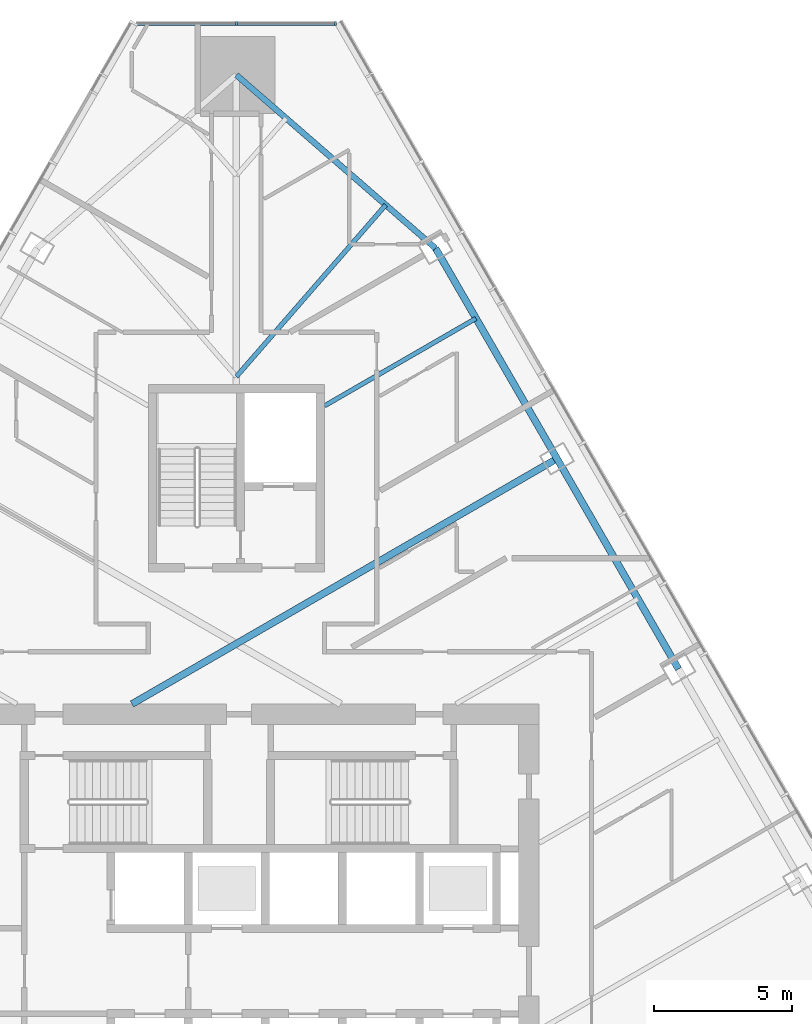
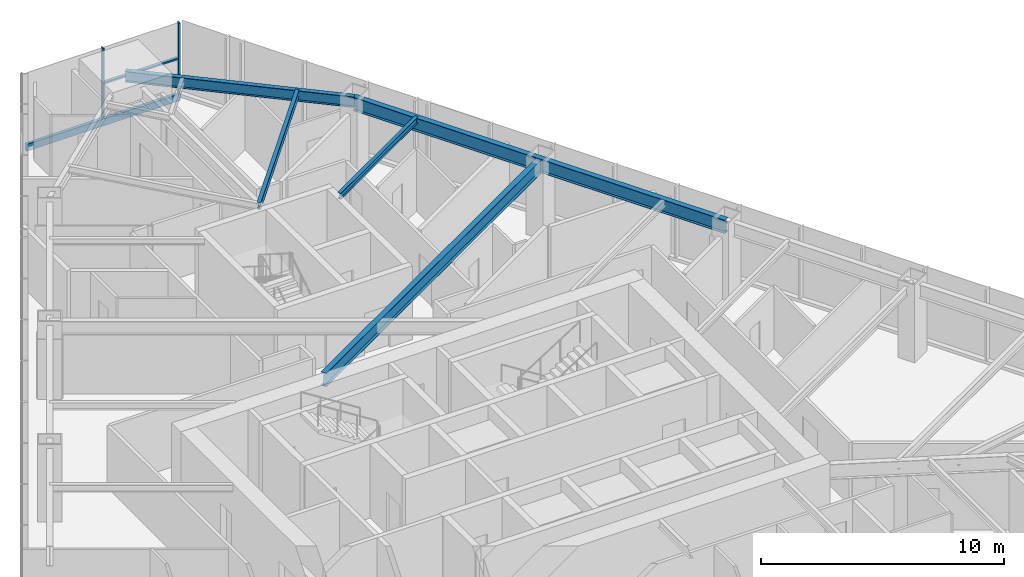
# One storey, part 11 of 19: 5 beams, 4 members, 1 element without a shape of its own.
"""IFC4 building model written with IfcOpenShell, lengths in metres."""

from ifc_helpers import new_model, si_unit, direction, frame, origin, origin_2d, place, context, subcontext, project, spatial, rectangle, i_section, extrude, material, layer, layer_set, material_profile, profile_set, type_object, element, aggregate, save


model = new_model("IFC4")

# Units and contexts
model_context = context("Model", 3, precision=1e-05, world=origin(), true_north=direction((0.0, 1.0)))
body_context = subcontext(model_context, "Body", "Model", "MODEL_VIEW")
ifc_project = project(units=[si_unit("LENGTHUNIT", "METRE"), si_unit("AREAUNIT", "SQUARE_METRE"), si_unit("VOLUMEUNIT", "CUBIC_METRE"), si_unit("PLANEANGLEUNIT", "RADIAN"), si_unit("MASSUNIT", "GRAM", prefix="KILO")], contexts=[model_context])

# Site, building, storey
site_placement = place(None, origin())
site = spatial("IfcSite", under=ifc_project, at=site_placement, CompositionType="ELEMENT")
building_placement = place(site_placement, origin())
building = spatial("IfcBuilding", under=site, at=building_placement, Name="Firuza Gate Tower and Library", CompositionType="ELEMENT")
storey_placement = place(building_placement, frame((0.0, 0.0, 183.10009765625)))
storey = spatial("IfcBuildingStorey", under=building, at=storey_placement, Name="L42", CompositionType="ELEMENT", Elevation=183.10009765625)

# Curtain wall, members
ifc_material_1 = material(Name="Aluminium 6063-T6", Category="aluminium")
ifc_layer = layer(ifc_material_1, 0.14990234375)
ifc_layer_set = layer_set([ifc_layer], Name="Corner curtain wall, chamfers")
curtain_wall_type = type_object("IfcCurtainWallType", Name="Corner curtain wall, chamfers", PredefinedType="NOTDEFINED", material=ifc_layer_set)
curtain_wall_placement = place(storey_placement, origin())
curtain_wall = element("IfcCurtainWall", 1, at=curtain_wall_placement, inside=storey, type_object=curtain_wall_type, Name="CW4 L42 N corner", PredefinedType="NOTDEFINED")
ifc_material_2 = material(Name="Aluminium 6063-T6", Category="aluminium")
ifc_material_profile_1 = material_profile(ifc_material_2, rectangle(XDim=0.14990234375, YDim=0.080078125, at=origin_2d()))
ifc_profile_set_1 = profile_set([ifc_material_profile_1], Name="Aluminium 6063-T6")
member_type_1 = type_object("IfcMemberType", Name="Curtain wall mullion 80x150", PredefinedType="MULLION", material=ifc_profile_set_1)
member_1_placement = place(storey_placement, frame((78.603271484375, 107.72021484375, 0.14990234375), z_axis=(0.0, 0.0, 1.0), x_axis=(0.0, -1.0, 0.0)))
member_1 = element("IfcMember", 2, at=member_1_placement, type_object=member_type_1, Name="Mullion", PredefinedType="MULLION", context=body_context, shape_type="SweptSolid", body=[
    extrude(rectangle(XDim=0.14990234375, YDim=0.080078125, at=origin_2d()), origin(), (0.0, 0.0, 1.0), 3.550048828125),
])
member_2_placement = place(storey_placement, frame((75.0, 107.72021484375, 0.14990234375), z_axis=(0.0, 0.0, 1.0), x_axis=(0.0, -1.0, 0.0)))
member_2 = element("IfcMember", 3, at=member_2_placement, type_object=member_type_1, Name="Mullion", PredefinedType="MULLION", context=body_context, shape_type="SweptSolid", body=[
    extrude(rectangle(XDim=0.14990234375, YDim=0.080078125, at=origin_2d()), origin(), (0.0, 0.0, 1.0), 3.550048828125),
])
ifc_material_3 = material(Name="Aluminium 6063-T6", Category="aluminium")
ifc_material_profile_2 = material_profile(ifc_material_3, rectangle(XDim=0.14990234375, YDim=0.35009765625, at=origin_2d()))
ifc_profile_set_2 = profile_set([ifc_material_profile_2], Name="Aluminium 6063-T6")
member_type_2 = type_object("IfcMemberType", Name="Curtain wall transom 350x150", PredefinedType="USERDEFINED", material=ifc_profile_set_2)
member_3_placement = place(storey_placement, frame((78.643310546875, 107.72021484375, -0.025146484375), z_axis=(-1.0, 0.0, 0.0), x_axis=(0.0, -1.0, 0.0)))
member_3 = element("IfcMember", 4, at=member_3_placement, type_object=member_type_2, Name="Transom", ObjectType="TRANSOM", PredefinedType="USERDEFINED", context=body_context, shape_type="SweptSolid", body=[
    extrude(rectangle(XDim=0.14990234375, YDim=0.35009765625, at=origin_2d()), origin(), (0.0, 0.0, 1.0), 7.28662109375),
])
ifc_material_4 = material(Name="Aluminium 6063-T6", Category="aluminium")
ifc_material_profile_3 = material_profile(ifc_material_4, rectangle(XDim=0.14990234375, YDim=0.080078125, at=origin_2d()))
ifc_profile_set_3 = profile_set([ifc_material_profile_3], Name="Aluminium 6063-T6")
member_type_3 = type_object("IfcMemberType", Name="Curtain wall transom 80x150", PredefinedType="USERDEFINED", material=ifc_profile_set_3)
member_4_placement = place(storey_placement, frame((78.603271484375, 107.72021484375, 1.9248046875), z_axis=(-1.0, 0.0, 0.0), x_axis=(0.0, -1.0, 0.0)))
member_4 = element("IfcMember", 5, at=member_4_placement, type_object=member_type_3, Name="Transom", ObjectType="TRANSOM", PredefinedType="USERDEFINED", context=body_context, shape_type="SweptSolid", body=[
    extrude(rectangle(XDim=0.14990234375, YDim=0.080078125, at=origin_2d()), origin(), (0.0, 0.0, 1.0), 3.563232421875),
])
aggregate(curtain_wall, [member_1, member_2, member_3, member_4])

# Beams
ifc_material_5 = material(Name="Steel S355", Category="steel")
ifc_material_profile_4 = material_profile(ifc_material_5, i_section(OverallWidth=0.1650390625, OverallDepth=0.31005859375, WebThickness=0.005859375, FlangeThickness=0.009765625, at=origin_2d()))
ifc_profile_set_4 = profile_set([ifc_material_profile_4], Name="Steel S355")
beam_type_1 = type_object("IfcBeamType", Name="W310x39 Floor beam", PredefinedType="JOIST", material=ifc_profile_set_4)
beam_1_placement = place(storey_placement, frame((83.703125, 97.00634765625, 3.544921875), z_axis=(-0.866026275825, -0.499998489578, 0.0), x_axis=(0.499998489578, -0.866026275825, 0.0)))
element("IfcBeam", 6, at=beam_1_placement, inside=storey, type_object=beam_type_1, Name="Floor beam L42 s55", PredefinedType="JOIST", context=body_context, shape_type="SweptSolid", body=[
    extrude(i_section(OverallWidth=0.1650390625, OverallDepth=0.31005859375, WebThickness=0.005859375, FlangeThickness=0.009765625, at=origin_2d()), origin(), (0.0, 0.0, 1.0), 6.3544921875),
])
ifc_material_6 = material(Name="Steel S355", Category="steel")
ifc_material_profile_5 = material_profile(ifc_material_6, i_section(OverallWidth=0.1708984375, OverallDepth=0.35498046875, WebThickness=0.007080078125, FlangeThickness=0.01171875, at=origin_2d()))
ifc_profile_set_5 = profile_set([ifc_material_profile_5], Name="Steel S355")
beam_type_2 = type_object("IfcBeamType", Name="W360x51 Floor beam", PredefinedType="JOIST", material=ifc_profile_set_5)
beam_2_placement = place(storey_placement, frame((80.42431640625, 101.12646484375, 3.5224609375), z_axis=(-0.656320584547, -0.754482133851, 0.0), x_axis=(0.754482133851, -0.656320584547, 0.0)))
element("IfcBeam", 7, at=beam_2_placement, inside=storey, type_object=beam_type_2, Name="Floor beam L42 s60", PredefinedType="JOIST", context=body_context, shape_type="SweptSolid", body=[
    extrude(i_section(OverallWidth=0.1708984375, OverallDepth=0.35498046875, WebThickness=0.007080078125, FlangeThickness=0.01171875, at=origin_2d()), origin(), (0.0, 0.0, 1.0), 8.2646484375),
])
ifc_material_7 = material(Name="Steel S355", Category="steel")
ifc_material_profile_6 = material_profile(ifc_material_7, i_section(OverallWidth=0.212890625, OverallDepth=0.5390625, WebThickness=0.01171875, FlangeThickness=0.018798828125, at=origin_2d()))
ifc_profile_set_6 = profile_set([ifc_material_profile_6], Name="Steel S355")
beam_type_3 = type_object("IfcBeamType", Name="W530x109 Edge beam", PredefinedType="SPANDREL", material=ifc_profile_set_6)
beam_3_placement = place(storey_placement, frame((82.232421875, 99.553466796875, 3.430419921875), z_axis=(-0.754466787809, 0.656338225379, 0.0), x_axis=(-0.656338225379, -0.754466787809, 0.0)))
element("IfcBeam", 8, at=beam_3_placement, inside=storey, type_object=beam_type_3, Name="Edge beam L42 e60", PredefinedType="SPANDREL", context=body_context, shape_type="SweptSolid", body=[
    extrude(i_section(OverallWidth=0.212890625, OverallDepth=0.5390625, WebThickness=0.01171875, FlangeThickness=0.018798828125, at=origin_2d()), origin(), (0.0, 0.0, 1.0), 9.586181640625),
])
ifc_material_8 = material(Name="Steel S355", Category="steel")
ifc_material_profile_7 = material_profile(ifc_material_8, i_section(OverallWidth=0.2529296875, OverallDepth=0.677978515625, WebThickness=0.01171875, FlangeThickness=0.016357421875, at=origin_2d()))
ifc_profile_set_7 = profile_set([ifc_material_profile_7], Name="Steel S355")
beam_type_4 = type_object("IfcBeamType", Name="W690x125 Edge beam", PredefinedType="SPANDREL", material=ifc_profile_set_7)
beam_4_placement = place(storey_placement, frame((91.056396484375, 84.270263671875, 3.36083984375), z_axis=(-0.50000905945, 0.866020173245, 0.0), x_axis=(-0.866020173245, -0.50000905945, 0.0)))
element("IfcBeam", 9, at=beam_4_placement, inside=storey, type_object=beam_type_4, Name="Edge beam L42 e52", PredefinedType="SPANDREL", context=body_context, shape_type="SweptSolid", body=[
    extrude(i_section(OverallWidth=0.2529296875, OverallDepth=0.677978515625, WebThickness=0.01171875, FlangeThickness=0.016357421875, at=origin_2d()), origin(), (0.0, 0.0, 1.0), 17.647705078125),
])
ifc_material_9 = material(Name="Steel S355", Category="steel")
ifc_material_profile_8 = material_profile(ifc_material_9, i_section(OverallWidth=0.2529296875, OverallDepth=0.677978515625, WebThickness=0.01171875, FlangeThickness=0.016357421875, at=origin_2d()))
ifc_profile_set_8 = profile_set([ifc_material_profile_8], Name="Steel S355")
beam_type_5 = type_object("IfcBeamType", Name="W690x125 Floor beam", PredefinedType="JOIST", material=ifc_profile_set_8)
beam_5_placement = place(storey_placement, frame((86.64453125, 91.911865234375, 3.36083984375), z_axis=(-0.866025230413, -0.500000300289, 0.0), x_axis=(0.500000300289, -0.866025230413, 0.0)))
element("IfcBeam", 10, at=beam_5_placement, inside=storey, type_object=beam_type_5, Name="Floor beam L42 s54", PredefinedType="JOIST", context=body_context, shape_type="SweptSolid", body=[
    extrude(i_section(OverallWidth=0.2529296875, OverallDepth=0.677978515625, WebThickness=0.01171875, FlangeThickness=0.016357421875, at=origin_2d()), origin(), (0.0, 0.0, 1.0), 17.82373046875),
])

save(model, "model.ifc")
